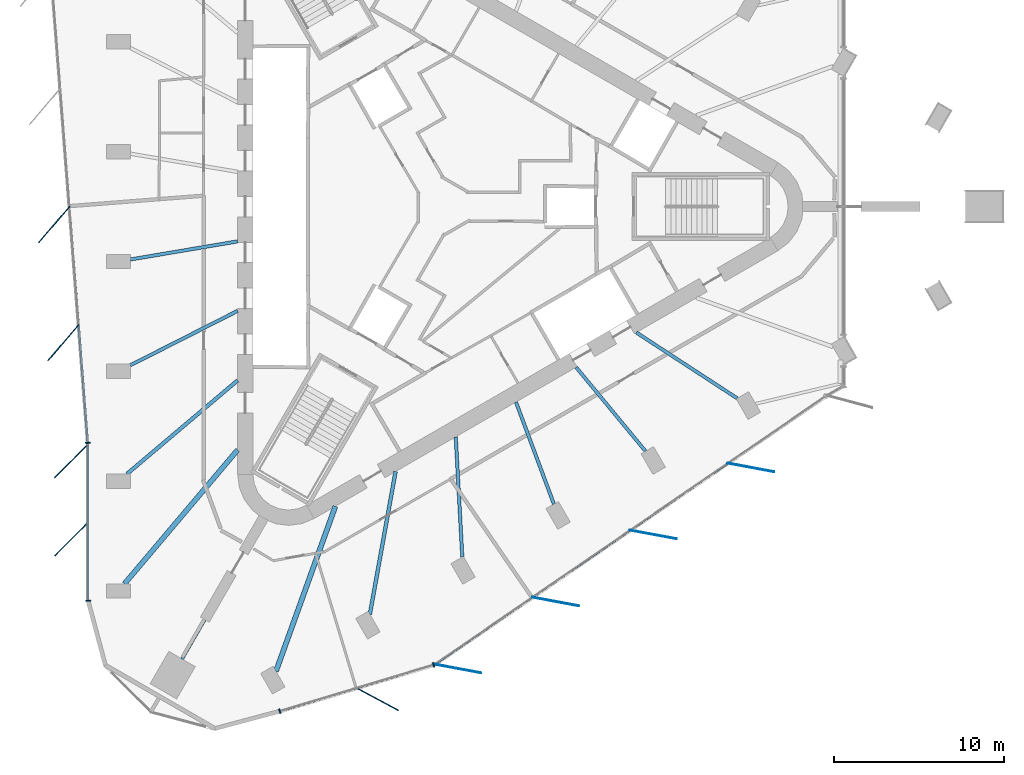
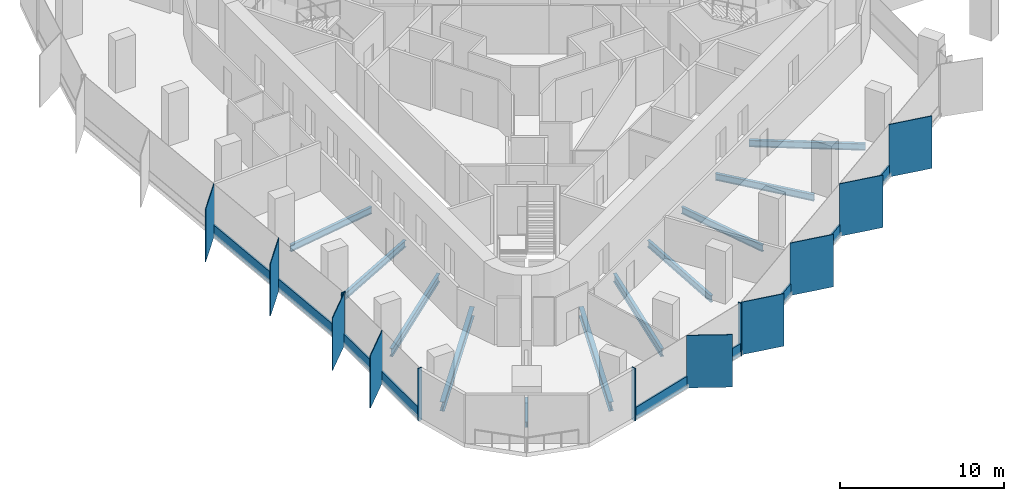
# One storey, part 2 of 12: 22 members, 11 beams, 4 elements without a shape of their own.
"""IFC4 building model written with IfcOpenShell, lengths in metres."""

from ifc_helpers import new_model, si_unit, direction, frame, origin, origin_2d, place, context, subcontext, project, spatial, rectangle, i_section, extrude, material, material_profile, profile_set, type_object, element, aggregate, save


model = new_model("IFC4")

# Units and contexts
model_context = context("Model", 3, precision=1e-05, world=origin(), true_north=direction((0.0, 1.0)))
body_context = subcontext(model_context, "Body", "Model", "MODEL_VIEW")
ifc_project = project(units=[si_unit("LENGTHUNIT", "METRE"), si_unit("AREAUNIT", "SQUARE_METRE"), si_unit("VOLUMEUNIT", "CUBIC_METRE"), si_unit("PLANEANGLEUNIT", "RADIAN"), si_unit("MASSUNIT", "GRAM", prefix="KILO")], contexts=[model_context])

# Site, building, storey
site_placement = place(None, origin())
site = spatial("IfcSite", under=ifc_project, at=site_placement, CompositionType="ELEMENT")
building_placement = place(site_placement, origin())
building = spatial("IfcBuilding", under=site, at=building_placement, Name="Tanit Gate Tower", CompositionType="ELEMENT")
storey_placement = place(building_placement, frame((0.0, 0.0, 372.800048828125)))
storey = spatial("IfcBuildingStorey", under=building, at=storey_placement, Name="L85", CompositionType="ELEMENT", Elevation=372.800048828125)

# Curtain wall, members
ifc_material_1 = material(Name="Aluminium bronze anodised and glass", Category="aluminium")
curtain_wall_type = type_object("IfcCurtainWallType", Name="Curtain wall typical high", PredefinedType="NOTDEFINED", material=ifc_material_1)
curtain_wall_1_placement = place(storey_placement, origin())
curtain_wall_1 = element("IfcCurtainWall", 1, at=curtain_wall_1_placement, inside=storey, type_object=curtain_wall_type, Name="Curtain wall L85 W2", PredefinedType="NOTDEFINED")
ifc_material_2 = material(Name="Aluminium bronze anodised", Category="aluminium")
ifc_material_profile_1 = material_profile(ifc_material_2, rectangle(XDim=2.800048828125, YDim=0.055908203125, at=origin_2d()), Name="56x2800 bronze fin mullion")
ifc_profile_set_1 = profile_set([ifc_material_profile_1], Name="Aluminium bronze anodised")
member_type_1 = type_object("IfcMemberType", Name="FIN MULLION 56x2800 bronze", PredefinedType="MULLION", material=ifc_profile_set_1)
member_1_placement = place(storey_placement, frame((-22.896484375, -1.051025390625, -0.300048828125), z_axis=(0.0, 0.0, 1.0), x_axis=(0.650025975428, 0.75991198916, 0.0)))
member_1 = element("IfcMember", 2, at=member_1_placement, type_object=member_type_1, Name="Fin mullion L85 W2.3", PredefinedType="MULLION", context=body_context, shape_type="SweptSolid", body=[
    extrude(rectangle(XDim=2.800048828125, YDim=0.055908203125, at=origin_2d()), origin(), (0.0, 0.0, 1.0), 3.89990234375),
])
member_2_placement = place(storey_placement, frame((-22.354736328125, -8.002685546875, -0.300048828125), z_axis=(0.0, 0.0, 1.0), x_axis=(0.650025975428, 0.75991198916, 0.0)))
member_2 = element("IfcMember", 3, at=member_2_placement, type_object=member_type_1, Name="Fin mullion L85 W2.4", PredefinedType="MULLION", context=body_context, shape_type="SweptSolid", body=[
    extrude(rectangle(XDim=2.800048828125, YDim=0.055908203125, at=origin_2d()), origin(), (0.0, 0.0, 1.0), 3.89990234375),
])

curtain_wall_2_placement = place(storey_placement, origin())
curtain_wall_2 = element("IfcCurtainWall", 4, at=curtain_wall_2_placement, inside=storey, type_object=curtain_wall_type, Name="Curtain wall L85 W3", PredefinedType="NOTDEFINED")
member_3_placement = place(storey_placement, frame((-21.88720703125, -14.962890625, -0.300048828125), z_axis=(0.0, 0.0, 1.0), x_axis=(0.706136122136, 0.70807610962, 0.0)))
member_3 = element("IfcMember", 5, at=member_3_placement, type_object=member_type_1, Name="Fin mullion L85 W3.1", PredefinedType="MULLION", context=body_context, shape_type="SweptSolid", body=[
    extrude(rectangle(XDim=2.800048828125, YDim=0.055908203125, at=origin_2d()), origin(), (0.0, 0.0, 1.0), 3.89990234375),
])
member_4_placement = place(storey_placement, frame((-21.880859375, -19.5673828125, -0.300048828125), z_axis=(0.0, 0.0, 1.0), x_axis=(0.706136122136, 0.70807610962, 0.0)))
member_4 = element("IfcMember", 6, at=member_4_placement, type_object=member_type_1, Name="Fin mullion L85 W3.2", PredefinedType="MULLION", context=body_context, shape_type="SweptSolid", body=[
    extrude(rectangle(XDim=2.800048828125, YDim=0.055908203125, at=origin_2d()), origin(), (0.0, 0.0, 1.0), 3.89990234375),
])

# Curtain wall, member
curtain_wall_3_placement = place(storey_placement, origin())
curtain_wall_3 = element("IfcCurtainWall", 7, at=curtain_wall_3_placement, inside=storey, type_object=curtain_wall_type, Name="Curtain wall L85 SE1", PredefinedType="NOTDEFINED")
member_5_placement = place(storey_placement, frame((-3.87841796875, -28.991455078125, -0.300048828125), z_axis=(0.0, 0.0, 1.0), x_axis=(-0.881019262525, 0.473080393866, 0.0)))
member_5 = element("IfcMember", 8, at=member_5_placement, type_object=member_type_1, Name="Fin mullion L85 SE1.2", PredefinedType="MULLION", context=body_context, shape_type="SweptSolid", body=[
    extrude(rectangle(XDim=2.800048828125, YDim=0.055908203125, at=origin_2d()), origin(), (0.0, 0.0, 1.0), 3.89990234375),
])

# Curtain wall, members
curtain_wall_4_placement = place(storey_placement, origin())
curtain_wall_4 = element("IfcCurtainWall", 9, at=curtain_wall_4_placement, inside=storey, type_object=curtain_wall_type, Name="Curtain wall L85 SE2", PredefinedType="NOTDEFINED")
member_6_placement = place(storey_placement, frame((0.859619140625, -27.193603515625, -0.300048828125), z_axis=(0.0, 0.0, 1.0), x_axis=(-0.983116074967, 0.182983013261, 0.0)))
member_6 = element("IfcMember", 10, at=member_6_placement, type_object=member_type_1, Name="Fin mullion L85 SE2.1", PredefinedType="MULLION", context=body_context, shape_type="SweptSolid", body=[
    extrude(rectangle(XDim=2.800048828125, YDim=0.055908203125, at=origin_2d()), origin(), (0.0, 0.0, 1.0), 3.89990234375),
])
member_7_placement = place(storey_placement, frame((6.609130859375, -23.24853515625, -0.300048828125), z_axis=(0.0, 0.0, 1.0), x_axis=(-0.983116074967, 0.182983013261, 0.0)))
member_7 = element("IfcMember", 11, at=member_7_placement, type_object=member_type_1, Name="Fin mullion L85 SE2.2", PredefinedType="MULLION", context=body_context, shape_type="SweptSolid", body=[
    extrude(rectangle(XDim=2.800048828125, YDim=0.055908203125, at=origin_2d()), origin(), (0.0, 0.0, 1.0), 3.89990234375),
])
member_8_placement = place(storey_placement, frame((12.358642578125, -19.303466796875, -0.300048828125), z_axis=(0.0, 0.0, 1.0), x_axis=(-0.983116074967, 0.182983013261, 0.0)))
member_8 = element("IfcMember", 12, at=member_8_placement, type_object=member_type_1, Name="Fin mullion L85 SE2.3", PredefinedType="MULLION", context=body_context, shape_type="SweptSolid", body=[
    extrude(rectangle(XDim=2.800048828125, YDim=0.055908203125, at=origin_2d()), origin(), (0.0, 0.0, 1.0), 3.89990234375),
])
member_9_placement = place(storey_placement, frame((18.10791015625, -15.3583984375, -0.300048828125), z_axis=(0.0, 0.0, 1.0), x_axis=(-0.983116074967, 0.182983013261, 0.0)))
member_9 = element("IfcMember", 13, at=member_9_placement, type_object=member_type_1, Name="Fin mullion L85 SE2.4", PredefinedType="MULLION", context=body_context, shape_type="SweptSolid", body=[
    extrude(rectangle(XDim=2.800048828125, YDim=0.055908203125, at=origin_2d()), origin(), (0.0, 0.0, 1.0), 3.89990234375),
])

# Member
ifc_material_3 = material(Name="Aluminium bronze anodised", Category="aluminium")
ifc_material_profile_2 = material_profile(ifc_material_3, rectangle(XDim=0.280029296875, YDim=0.080078125, at=origin_2d()), Name="80x280 bronze mullion")
ifc_profile_set_2 = profile_set([ifc_material_profile_2], Name="Aluminium bronze anodised")
member_type_2 = type_object("IfcMemberType", Name="Mullion 80x280 typical high", PredefinedType="MULLION", material=ifc_profile_set_2)
member_10_placement = place(storey_placement, frame((-20.915771484375, -13.90576171875, -0.300048828125), z_axis=(0.0, 0.0, 1.0), x_axis=(0.996976695812, 0.077701145467, 0.0)))
member_10 = element("IfcMember", 14, at=member_10_placement, type_object=member_type_2, Name="Mullion L85 W2.5", PredefinedType="MULLION", context=body_context, shape_type="SweptSolid", body=[
    extrude(rectangle(XDim=0.280029296875, YDim=0.080078125, at=origin_2d()), origin(), (0.0, 0.0, 1.0), 3.89990234375),
])

member_11_placement = place(storey_placement, frame((-20.89990234375, -23.194580078125, -0.300048828125), z_axis=(0.0, 0.0, 1.0), x_axis=(0.999999059112, 0.001371778306, 0.0)))
member_11 = element("IfcMember", 15, at=member_11_placement, type_object=member_type_2, Name="Mullion L85 W3.3", PredefinedType="MULLION", context=body_context, shape_type="SweptSolid", body=[
    extrude(rectangle(XDim=0.280029296875, YDim=0.080078125, at=origin_2d()), origin(), (0.0, 0.0, 1.0), 3.89990234375),
])

member_12_placement = place(storey_placement, frame((-9.6201171875, -29.7021484375, -0.300048828125), z_axis=(0.0, 0.0, 1.0), x_axis=(-0.288456340338, 0.957493049436, 0.0)))
member_12 = element("IfcMember", 16, at=member_12_placement, type_object=member_type_2, Name="Mullion L85 SE1.1", PredefinedType="MULLION", context=body_context, shape_type="SweptSolid", body=[
    extrude(rectangle(XDim=0.280029296875, YDim=0.080078125, at=origin_2d()), origin(), (0.0, 0.0, 1.0), 3.89990234375),
])

member_13_placement = place(storey_placement, frame((-0.568603515625, -26.97509765625, -0.300048828125), z_axis=(0.0, 0.0, 1.0), x_axis=(-0.288456340338, 0.957493049436, 0.0)))
member_13 = element("IfcMember", 17, at=member_13_placement, type_object=member_type_2, Name="Mullion L85 SE1.3", PredefinedType="MULLION", context=body_context, shape_type="SweptSolid", body=[
    extrude(rectangle(XDim=0.280029296875, YDim=0.080078125, at=origin_2d()), origin(), (0.0, 0.0, 1.0), 3.89990234375),
])

# Beams
ifc_material_4 = material(Name="Steel S355", Category="steel")
ifc_material_profile_3 = material_profile(ifc_material_4, i_section(OverallWidth=0.300048828125, OverallDepth=0.68994140625, WebThickness=0.014404296875, FlangeThickness=0.027099609375, FilletRadius=0.027099609375, at=origin_2d()), Name="HEA 700")
ifc_profile_set_3 = profile_set([ifc_material_profile_3], Name="Steel S355")
beam_type_1 = type_object("IfcBeamType", Name="RADIAL GIRDER HEA 700 S355", PredefinedType="BEAM", material=ifc_profile_set_3)
beam_1_placement = place(storey_placement, frame((-18.7607421875, -22.198486328125, -0.64501953125), z_axis=(0.645485929832, 0.763772161308, 0.0), x_axis=(-0.763772161308, 0.645485929832, 0.0)))
element("IfcBeam", 18, at=beam_1_placement, inside=storey, type_object=beam_type_1, Name="RADIAL GIRDER", PredefinedType="BEAM", context=body_context, shape_type="SweptSolid", body=[
    extrude(i_section(OverallWidth=0.300048828125, OverallDepth=0.68994140625, WebThickness=0.014404296875, FlangeThickness=0.027099609375, FilletRadius=0.027099609375, at=origin_2d()), origin(), (0.0, 0.0, 1.0), 10.315673828125),
])
beam_2_placement = place(storey_placement, frame((-9.84423828125, -27.346435546875, -0.64501953125), z_axis=(0.338716116064, 0.940888618657, 0.0), x_axis=(-0.940888618657, 0.338716116064, 0.0)))
element("IfcBeam", 19, at=beam_2_placement, inside=storey, type_object=beam_type_1, Name="RADIAL GIRDER", PredefinedType="BEAM", context=body_context, shape_type="SweptSolid", body=[
    extrude(i_section(OverallWidth=0.300048828125, OverallDepth=0.68994140625, WebThickness=0.014404296875, FlangeThickness=0.027099609375, FilletRadius=0.027099609375, at=origin_2d()), origin(), (0.0, 0.0, 1.0), 10.31591796875),
])
ifc_material_5 = material(Name="Steel S355", Category="steel")
ifc_material_profile_4 = material_profile(ifc_material_5, i_section(OverallWidth=0.179931640625, OverallDepth=0.39990234375, WebThickness=0.008544921875, FlangeThickness=0.013427734375, FilletRadius=0.02099609375, at=origin_2d()), Name="IPE 400")
ifc_profile_set_4 = profile_set([ifc_material_profile_4], Name="Steel S355")
beam_type_2 = type_object("IfcBeamType", Name="RADIAL GIRDER IPE 400 S355", PredefinedType="BEAM", material=ifc_profile_set_4)
beam_3_placement = place(storey_placement, frame((-15.371826171875, -26.624755859375, -0.5), z_axis=(0.500020336772, 0.866013662025, 0.0), x_axis=(-0.866013662025, 0.500020336772, 0.0)))
element("IfcBeam", 20, at=beam_3_placement, inside=storey, type_object=beam_type_2, Name="RADIAL GIRDER", PredefinedType="BEAM", context=body_context, shape_type="SweptSolid", body=[
    extrude(i_section(OverallWidth=0.179931640625, OverallDepth=0.39990234375, WebThickness=0.008544921875, FlangeThickness=0.013427734375, FilletRadius=0.02099609375, at=origin_2d()), origin(), (0.0, 0.0, 1.0), 2.67236328125),
])
ifc_material_6 = material(Name="Steel S355", Category="steel")
ifc_material_profile_5 = material_profile(ifc_material_6, i_section(OverallWidth=0.199951171875, OverallDepth=0.5, WebThickness=0.01025390625, FlangeThickness=0.01611328125, FilletRadius=0.02099609375, at=origin_2d()), Name="IPE 500")
ifc_profile_set_5 = profile_set([ifc_material_profile_5], Name="Steel S355")
beam_type_3 = type_object("IfcBeamType", Name="RADIAL GIRDER IPE 500 S355", PredefinedType="BEAM", material=ifc_profile_set_5)
beam_4_placement = place(storey_placement, frame((-18.419921875, -3.113525390625, -0.550048828125), z_axis=(0.986014426504, 0.166659985375, 0.0), x_axis=(-0.166659985375, 0.986014426504, 0.0)))
element("IfcBeam", 21, at=beam_4_placement, inside=storey, type_object=beam_type_3, Name="RADIAL GIRDER", PredefinedType="BEAM", context=body_context, shape_type="SweptSolid", body=[
    extrude(i_section(OverallWidth=0.199951171875, OverallDepth=0.5, WebThickness=0.01025390625, FlangeThickness=0.01611328125, FilletRadius=0.02099609375, at=origin_2d()), origin(), (0.0, 0.0, 1.0), 6.407470703125),
])
beam_5_placement = place(storey_placement, frame((-18.419921875, -9.3408203125, -0.550048828125), z_axis=(0.891876205065, 0.452279598078, 0.0), x_axis=(-0.452279598078, 0.891876205065, 0.0)))
element("IfcBeam", 22, at=beam_5_placement, inside=storey, type_object=beam_type_3, Name="RADIAL GIRDER", PredefinedType="BEAM", context=body_context, shape_type="SweptSolid", body=[
    extrude(i_section(OverallWidth=0.199951171875, OverallDepth=0.5, WebThickness=0.01025390625, FlangeThickness=0.01611328125, FilletRadius=0.02099609375, at=origin_2d()), origin(), (0.0, 0.0, 1.0), 7.083740234375),
])
beam_6_placement = place(storey_placement, frame((1.12060546875, -20.62255859375, -0.550048828125), z_axis=(-0.054280812933, 0.998525709908, 0.0), x_axis=(-0.998525709908, -0.054280812933, 0.0)))
element("IfcBeam", 23, at=beam_6_placement, inside=storey, type_object=beam_type_3, Name="RADIAL GIRDER", PredefinedType="BEAM", context=body_context, shape_type="SweptSolid", body=[
    extrude(i_section(OverallWidth=0.199951171875, OverallDepth=0.5, WebThickness=0.01025390625, FlangeThickness=0.01611328125, FilletRadius=0.02099609375, at=origin_2d()), origin(), (0.0, 0.0, 1.0), 7.083984375),
])
beam_7_placement = place(storey_placement, frame((6.513427734375, -17.5087890625, -0.550048828125), z_axis=(-0.348675335888, 0.93724357034, 0.0), x_axis=(-0.93724357034, -0.348675335888, 0.0)))
element("IfcBeam", 24, at=beam_7_placement, inside=storey, type_object=beam_type_3, Name="RADIAL GIRDER", PredefinedType="BEAM", context=body_context, shape_type="SweptSolid", body=[
    extrude(i_section(OverallWidth=0.199951171875, OverallDepth=0.5, WebThickness=0.01025390625, FlangeThickness=0.01611328125, FilletRadius=0.02099609375, at=origin_2d()), origin(), (0.0, 0.0, 1.0), 6.407470703125),
])
beam_8_placement = place(storey_placement, frame((11.906494140625, -14.395263671875, -0.550048828125), z_axis=(-0.637361830259, 0.770564661355, 0.0), x_axis=(-0.770564661355, -0.637361830259, 0.0)))
element("IfcBeam", 25, at=beam_8_placement, inside=storey, type_object=beam_type_3, Name="RADIAL GIRDER", PredefinedType="BEAM", context=body_context, shape_type="SweptSolid", body=[
    extrude(i_section(OverallWidth=0.199951171875, OverallDepth=0.5, WebThickness=0.01025390625, FlangeThickness=0.01611328125, FilletRadius=0.02099609375, at=origin_2d()), origin(), (0.0, 0.0, 1.0), 6.40771484375),
])
beam_9_placement = place(storey_placement, frame((17.29931640625, -11.28173828125, -0.550048828125), z_axis=(-0.837617453042, 0.546257267557, 0.0), x_axis=(-0.546257267557, -0.837617453042, 0.0)))
element("IfcBeam", 26, at=beam_9_placement, inside=storey, type_object=beam_type_3, Name="RADIAL GIRDER", PredefinedType="BEAM", context=body_context, shape_type="SweptSolid", body=[
    extrude(i_section(OverallWidth=0.199951171875, OverallDepth=0.5, WebThickness=0.01025390625, FlangeThickness=0.01611328125, FilletRadius=0.02099609375, at=origin_2d()), origin(), (0.0, 0.0, 1.0), 7.083984375),
])
ifc_material_7 = material(Name="Steel S355", Category="steel")
ifc_material_profile_6 = material_profile(ifc_material_7, i_section(OverallWidth=0.219970703125, OverallDepth=0.60009765625, WebThickness=0.011962890625, FlangeThickness=0.01904296875, FilletRadius=0.02392578125, at=origin_2d()), Name="IPE 600")
ifc_profile_set_6 = profile_set([ifc_material_profile_6], Name="Steel S355")
beam_type_4 = type_object("IfcBeamType", Name="RADIAL GIRDER IPE 600 S355", PredefinedType="BEAM", material=ifc_profile_set_6)
beam_10_placement = place(storey_placement, frame((-18.616943359375, -15.734619140625, -0.60009765625), z_axis=(0.763747676896, 0.645514899933, 0.0), x_axis=(-0.645514899933, 0.763747676896, 0.0)))
element("IfcBeam", 27, at=beam_10_placement, inside=storey, type_object=beam_type_4, Name="RADIAL GIRDER", PredefinedType="BEAM", context=body_context, shape_type="SweptSolid", body=[
    extrude(i_section(OverallWidth=0.219970703125, OverallDepth=0.60009765625, WebThickness=0.011962890625, FlangeThickness=0.01904296875, FilletRadius=0.02392578125, at=origin_2d()), origin(), (0.0, 0.0, 1.0), 8.5302734375),
])
beam_11_placement = place(storey_placement, frame((-4.318115234375, -23.990234375, -0.60009765625), z_axis=(0.177157433794, 0.984182525577, 0.0), x_axis=(-0.984182525577, 0.177157433794, 0.0)))
element("IfcBeam", 28, at=beam_11_placement, inside=storey, type_object=beam_type_4, Name="RADIAL GIRDER", PredefinedType="BEAM", context=body_context, shape_type="SweptSolid", body=[
    extrude(i_section(OverallWidth=0.219970703125, OverallDepth=0.60009765625, WebThickness=0.011962890625, FlangeThickness=0.01904296875, FilletRadius=0.02392578125, at=origin_2d()), origin(), (0.0, 0.0, 1.0), 8.530517578125),
])

# Member
ifc_material_8 = material(Name="Aluminium bronze anodised", Category="aluminium")
ifc_material_profile_7 = material_profile(ifc_material_8, rectangle(XDim=0.1201171875, YDim=0.89990234375, at=origin_2d()), Name="120x900 bronze transom")
ifc_profile_set_7 = profile_set([ifc_material_profile_7], Name="Aluminium bronze anodised")
member_type_3 = type_object("IfcMemberType", Name="Transom 120x900 typical high", PredefinedType="USERDEFINED", material=ifc_profile_set_7)
member_14_placement = place(storey_placement, frame((-21.996337890625, -0.042236328125, 0.14990234375), z_axis=(0.077712188941, -0.996975835058, 0.0), x_axis=(0.996975835058, 0.077712188941, 0.0)))
member_14 = element("IfcMember", 29, at=member_14_placement, type_object=member_type_3, Name="Transom L85 W2.3", ObjectType="TRANSOM", PredefinedType="USERDEFINED", context=body_context, shape_type="SweptSolid", body=[
    extrude(rectangle(XDim=0.1201171875, YDim=0.89990234375, at=origin_2d()), origin(), (0.0, 0.0, 1.0), 6.892578125),
])

member_15_placement = place(storey_placement, frame((-21.454345703125, -6.993896484375, 0.14990234375), z_axis=(0.077676982382, -0.996978578711, 0.0), x_axis=(0.996978578711, 0.077676982382, 0.0)))
member_15 = element("IfcMember", 30, at=member_15_placement, type_object=member_type_3, Name="Transom L85 W2.4", ObjectType="TRANSOM", PredefinedType="USERDEFINED", context=body_context, shape_type="SweptSolid", body=[
    extrude(rectangle(XDim=0.1201171875, YDim=0.89990234375, at=origin_2d()), origin(), (0.0, 0.0, 1.0), 6.892578125),
])

aggregate(curtain_wall_1, [member_1, member_2, member_10, member_14, member_15])

member_16_placement = place(storey_placement, frame((-20.91259765625, -14.025634765625, 0.14990234375), z_axis=(0.001402977251, -0.999999015827, 0.0), x_axis=(0.999999015827, 0.001402977251, 0.0)))
member_16 = element("IfcMember", 31, at=member_16_placement, type_object=member_type_3, Name="Transom L85 W3.1", ObjectType="TRANSOM", PredefinedType="USERDEFINED", context=body_context, shape_type="SweptSolid", body=[
    extrude(rectangle(XDim=0.1201171875, YDim=0.89990234375, at=origin_2d()), origin(), (0.0, 0.0, 1.0), 4.5244140625),
])

member_17_placement = place(storey_placement, frame((-20.90625, -18.630126953125, 0.14990234375), z_axis=(0.001349016687, -0.999999090077, 0.0), x_axis=(0.999999090077, 0.001349016687, 0.0)))
member_17 = element("IfcMember", 32, at=member_17_placement, type_object=member_type_3, Name="Transom L85 W3.2", ObjectType="TRANSOM", PredefinedType="USERDEFINED", context=body_context, shape_type="SweptSolid", body=[
    extrude(rectangle(XDim=0.1201171875, YDim=0.89990234375, at=origin_2d()), origin(), (0.0, 0.0, 1.0), 4.5244140625),
])

aggregate(curtain_wall_2, [member_3, member_4, member_11, member_16, member_17])

member_18_placement = place(storey_placement, frame((-9.581787109375, -29.6904296875, 0.14990234375), z_axis=(0.957495951761, 0.288446706276, 0.0), x_axis=(-0.288446706276, 0.957495951761, 0.0)))
member_18 = element("IfcMember", 33, at=member_18_placement, type_object=member_type_3, Name="Transom L85 SE1.1", ObjectType="TRANSOM", PredefinedType="USERDEFINED", context=body_context, shape_type="SweptSolid", body=[
    extrude(rectangle(XDim=0.1201171875, YDim=0.89990234375, at=origin_2d()), origin(), (0.0, 0.0, 1.0), 4.646728515625),
])

member_19_placement = place(storey_placement, frame((-5.05615234375, -28.3271484375, 0.14990234375), z_axis=(0.957495951761, 0.288446706276, 0.0), x_axis=(-0.288446706276, 0.957495951761, 0.0)))
member_19 = element("IfcMember", 34, at=member_19_placement, type_object=member_type_3, Name="Transom L85 SE1.2", ObjectType="TRANSOM", PredefinedType="USERDEFINED", context=body_context, shape_type="SweptSolid", body=[
    extrude(rectangle(XDim=0.1201171875, YDim=0.89990234375, at=origin_2d()), origin(), (0.0, 0.0, 1.0), 4.646728515625),
])

aggregate(curtain_wall_3, [member_12, member_5, member_13, member_18, member_19])

member_20_placement = place(storey_placement, frame((-0.46435546875, -26.91845703125, 0.14990234375), z_axis=(0.824554175841, 0.565783007083, 0.0), x_axis=(-0.565783007083, 0.824554175841, 0.0)))
member_20 = element("IfcMember", 35, at=member_20_placement, type_object=member_type_3, Name="Transom L85 SE2.1", ObjectType="TRANSOM", PredefinedType="USERDEFINED", context=body_context, shape_type="SweptSolid", body=[
    extrude(rectangle(XDim=0.1201171875, YDim=0.89990234375, at=origin_2d()), origin(), (0.0, 0.0, 1.0), 6.892822265625),
])

member_21_placement = place(storey_placement, frame((5.28515625, -22.973388671875, 0.14990234375), z_axis=(0.824554175841, 0.565783007083, 0.0), x_axis=(-0.565783007083, 0.824554175841, 0.0)))
member_21 = element("IfcMember", 36, at=member_21_placement, type_object=member_type_3, Name="Transom L85 SE2.2", ObjectType="TRANSOM", PredefinedType="USERDEFINED", context=body_context, shape_type="SweptSolid", body=[
    extrude(rectangle(XDim=0.1201171875, YDim=0.89990234375, at=origin_2d()), origin(), (0.0, 0.0, 1.0), 6.892822265625),
])

member_22_placement = place(storey_placement, frame((11.03466796875, -19.0283203125, 0.14990234375), z_axis=(0.824554175841, 0.565783007083, 0.0), x_axis=(-0.565783007083, 0.824554175841, 0.0)))
member_22 = element("IfcMember", 37, at=member_22_placement, type_object=member_type_3, Name="Transom L85 SE2.3", ObjectType="TRANSOM", PredefinedType="USERDEFINED", context=body_context, shape_type="SweptSolid", body=[
    extrude(rectangle(XDim=0.1201171875, YDim=0.89990234375, at=origin_2d()), origin(), (0.0, 0.0, 1.0), 6.892822265625),
])

aggregate(curtain_wall_4, [member_6, member_7, member_8, member_9, member_20, member_21, member_22])

save(model, "model.ifc")
